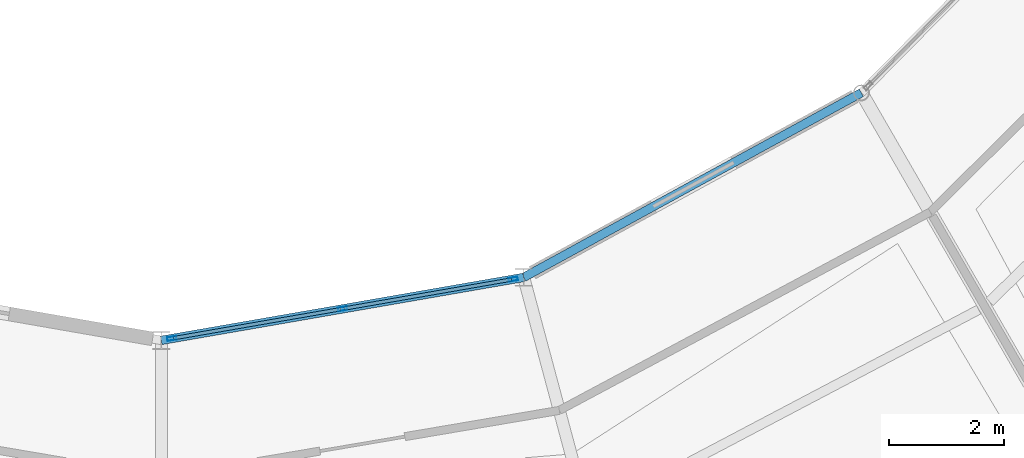
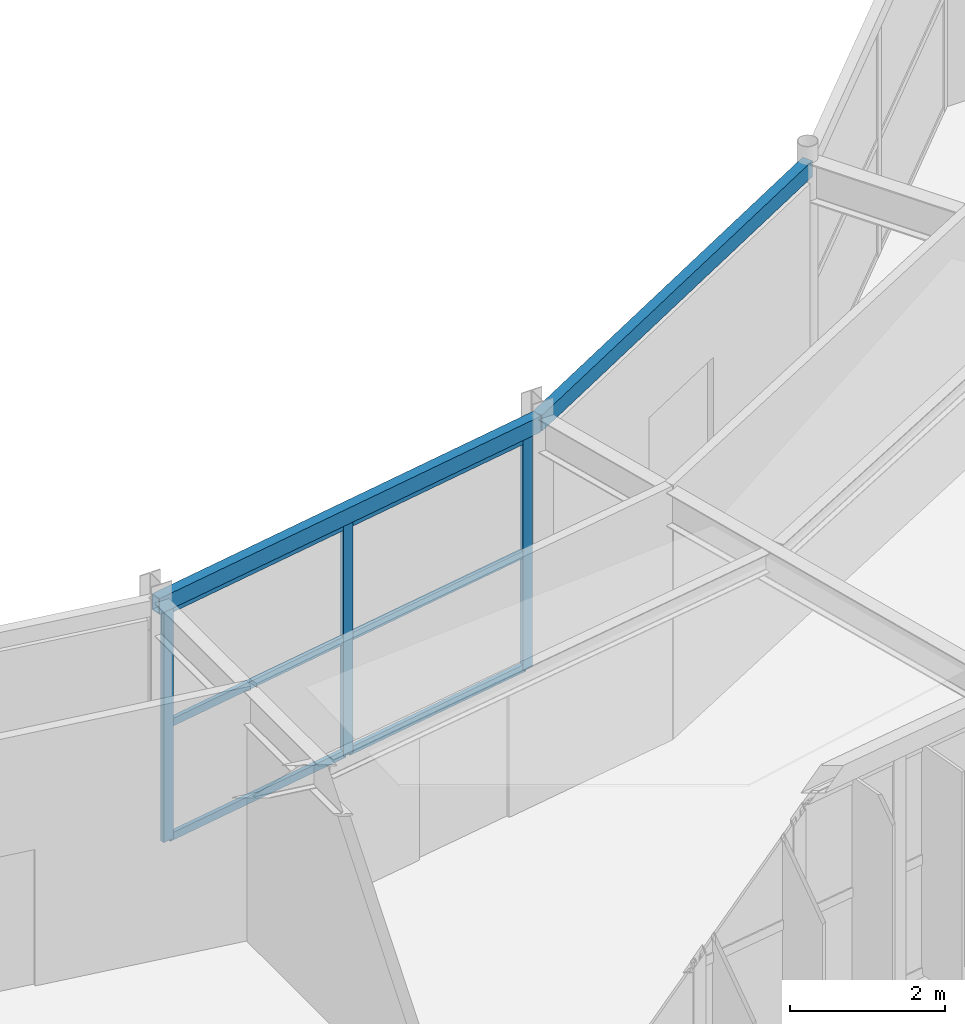
# One storey, part 49 of 147: 9 members, 2 beams, 1 element without a shape of its own.
"""IFC4 building model written with IfcOpenShell, lengths in metres."""

from ifc_helpers import new_model, si_unit, direction, frame, origin, origin_2d, place, context, subcontext, project, spatial, hollow_rectangle, extrude, material, material_profile, profile_set, type_object, element, aggregate, save


model = new_model("IFC4")

# Units and contexts
model_context = context("Model", 3, precision=1e-05, world=origin(), true_north=direction((0.0, 1.0)))
body_context = subcontext(model_context, "Body", "Model", "MODEL_VIEW")
ifc_project = project(units=[si_unit("LENGTHUNIT", "METRE"), si_unit("AREAUNIT", "SQUARE_METRE"), si_unit("VOLUMEUNIT", "CUBIC_METRE"), si_unit("PLANEANGLEUNIT", "RADIAN"), si_unit("MASSUNIT", "GRAM", prefix="KILO")], contexts=[model_context])

# Site, building, storey
site_placement = place(None, origin())
site = spatial("IfcSite", under=ifc_project, at=site_placement, CompositionType="ELEMENT")
building_placement = place(site_placement, origin())
building = spatial("IfcBuilding", under=site, at=building_placement, Name="Karori Crest Natural Sciences Institute", CompositionType="ELEMENT")
storey_placement = place(building_placement, frame((0.0, 0.0, 9.10009765625)))
storey = spatial("IfcBuildingStorey", under=building, at=storey_placement, Name="L02", CompositionType="ELEMENT", Elevation=9.10009765625)

# Beams
ifc_material_1 = material(Name="Hollow structural steel AS/NZS 1163 Grade C350", Category="steel")
ifc_material_profile_1 = material_profile(ifc_material_1, hollow_rectangle(XDim=0.14990234375, YDim=0.25, WallThickness=0.009033203125, at=origin_2d()), Name="RHS250x150x9")
ifc_profile_set_1 = profile_set([ifc_material_profile_1], Name="Hollow structural steel AS/NZS 1163 Grade C350")
beam_type = type_object("IfcBeamType", Name="BT-16", PredefinedType="SPANDREL", material=ifc_profile_set_1)
beam_1_placement = place(storey_placement, frame((66.39990234375, 17.699951171875, 3.789794921875), z_axis=(0.985241372425, 0.17117078624, 0.0), x_axis=(-0.17117078624, 0.985241372425, 0.0)))
element("IfcBeam", 1, at=beam_1_placement, inside=storey, type_object=beam_type, Name="Beam B-0339", PredefinedType="SPANDREL", context=body_context, shape_type="SweptSolid", body=[
    extrude(hollow_rectangle(XDim=0.14990234375, YDim=0.25, WallThickness=0.009033203125, at=origin_2d()), origin(), (0.0, 0.0, 1.0), 6.40966796875),
])
beam_2_placement = place(storey_placement, frame((72.715087890625, 18.797119140625, 3.789794921875), z_axis=(0.877469531616, 0.47963238119, 0.0), x_axis=(-0.47963238119, 0.877469531616, 0.0)))
element("IfcBeam", 2, at=beam_2_placement, inside=storey, type_object=beam_type, Name="Beam B-0343", PredefinedType="SPANDREL", context=body_context, shape_type="SweptSolid", body=[
    extrude(hollow_rectangle(XDim=0.14990234375, YDim=0.25, WallThickness=0.009033203125, at=origin_2d()), origin(), (0.0, 0.0, 1.0), 6.706787109375),
])

# Curtain wall, members
ifc_material_2 = material(Name="Anodised architectural aluminium 6063-T6", Category="aluminium")
curtain_wall_type = type_object("IfcCurtainWallType", Name="CWT-14", PredefinedType="NOTDEFINED", material=ifc_material_2)
curtain_wall_placement = place(storey_placement, origin())
curtain_wall = element("IfcCurtainWall", 3, at=curtain_wall_placement, inside=storey, type_object=curtain_wall_type, Name="Curtain wall CW-0092", PredefinedType="NOTDEFINED")
ifc_material_profile_2 = material_profile(ifc_material_2, hollow_rectangle(XDim=0.06494140625, YDim=0.159912109375, WallThickness=0.00390625, at=origin_2d()), Name="CWM160x65x4")
ifc_profile_set_2 = profile_set([ifc_material_profile_2], Name="Anodised architectural aluminium 6063-T6")
member_type_1 = type_object("IfcMemberType", Name="CWM-01", PredefinedType="MULLION", material=ifc_profile_set_2)
member_1_placement = place(storey_placement, frame((66.58349609375, 17.73193359375, 0.0), z_axis=(0.0, 0.0, 1.0), x_axis=(-0.171170381048, 0.985241442821, 0.0)))
member_1 = element("IfcMember", 4, at=member_1_placement, type_object=member_type_1, Name="CW-0092 mullion 1", PredefinedType="MULLION", context=body_context, shape_type="SweptSolid", body=[
    extrude(hollow_rectangle(XDim=0.06494140625, YDim=0.159912109375, WallThickness=0.00390625, at=origin_2d()), origin(), (0.0, 0.0, 1.0), 3.64990234375),
])
member_2_placement = place(storey_placement, frame((69.55810546875, 18.24853515625, 0.0), z_axis=(0.0, 0.0, 1.0), x_axis=(-0.171170381048, 0.985241442821, 0.0)))
member_2 = element("IfcMember", 5, at=member_2_placement, type_object=member_type_1, Name="CW-0092 mullion 2", PredefinedType="MULLION", context=body_context, shape_type="SweptSolid", body=[
    extrude(hollow_rectangle(XDim=0.06494140625, YDim=0.159912109375, WallThickness=0.00390625, at=origin_2d()), origin(), (0.0, 0.0, 1.0), 3.64990234375),
])
member_3_placement = place(storey_placement, frame((72.53271484375, 18.765380859375, 0.0), z_axis=(0.0, 0.0, 1.0), x_axis=(-0.171170381048, 0.985241442821, 0.0)))
member_3 = element("IfcMember", 6, at=member_3_placement, type_object=member_type_1, Name="CW-0092 mullion 3", PredefinedType="MULLION", context=body_context, shape_type="SweptSolid", body=[
    extrude(hollow_rectangle(XDim=0.06494140625, YDim=0.159912109375, WallThickness=0.00390625, at=origin_2d()), origin(), (0.0, 0.0, 1.0), 3.64990234375),
])
ifc_material_profile_3 = material_profile(ifc_material_2, hollow_rectangle(XDim=0.06005859375, YDim=0.1201171875, WallThickness=0.00390625, at=origin_2d()), Name="CWT120x60x4")
ifc_profile_set_3 = profile_set([ifc_material_profile_3], Name="Anodised architectural aluminium 6063-T6")
member_type_2 = type_object("IfcMemberType", Name="CWT-TR1", PredefinedType="USERDEFINED", material=ifc_profile_set_3)
member_4_placement = place(storey_placement, frame((66.615478515625, 17.7373046875, 0.02978515625), z_axis=(0.985231157469, 0.171229572075, 0.0), x_axis=(-0.171229572075, 0.985231157469, 0.0)))
member_4 = element("IfcMember", 7, at=member_4_placement, type_object=member_type_2, Name="CW-0092 transom 1.1", ObjectType="TRANSOM", PredefinedType="USERDEFINED", context=body_context, shape_type="SweptSolid", body=[
    extrude(hollow_rectangle(XDim=0.06005859375, YDim=0.1201171875, WallThickness=0.00390625, at=origin_2d()), origin(), (0.0, 0.0, 1.0), 2.954345703125),
])
member_5_placement = place(storey_placement, frame((66.615478515625, 17.7373046875, 1.824951171875), z_axis=(0.985231157469, 0.171229572075, 0.0), x_axis=(-0.171229572075, 0.985231157469, 0.0)))
member_5 = element("IfcMember", 8, at=member_5_placement, type_object=member_type_2, Name="CW-0092 transom 1.2", ObjectType="TRANSOM", PredefinedType="USERDEFINED", context=body_context, shape_type="SweptSolid", body=[
    extrude(hollow_rectangle(XDim=0.06005859375, YDim=0.1201171875, WallThickness=0.00390625, at=origin_2d()), origin(), (0.0, 0.0, 1.0), 2.954345703125),
])
member_6_placement = place(storey_placement, frame((66.615478515625, 17.7373046875, 3.619873046875), z_axis=(0.985231157469, 0.171229572075, 0.0), x_axis=(-0.171229572075, 0.985231157469, 0.0)))
member_6 = element("IfcMember", 9, at=member_6_placement, type_object=member_type_2, Name="CW-0092 transom 1.3", ObjectType="TRANSOM", PredefinedType="USERDEFINED", context=body_context, shape_type="SweptSolid", body=[
    extrude(hollow_rectangle(XDim=0.06005859375, YDim=0.1201171875, WallThickness=0.00390625, at=origin_2d()), origin(), (0.0, 0.0, 1.0), 2.954345703125),
])
member_7_placement = place(storey_placement, frame((69.590087890625, 18.254150390625, 0.02978515625), z_axis=(0.985245095786, 0.171149353579, 0.0), x_axis=(-0.171149353579, 0.985245095786, 0.0)))
member_7 = element("IfcMember", 10, at=member_7_placement, type_object=member_type_2, Name="CW-0092 transom 2.1", ObjectType="TRANSOM", PredefinedType="USERDEFINED", context=body_context, shape_type="SweptSolid", body=[
    extrude(hollow_rectangle(XDim=0.06005859375, YDim=0.1201171875, WallThickness=0.00390625, at=origin_2d()), origin(), (0.0, 0.0, 1.0), 2.954345703125),
])
member_8_placement = place(storey_placement, frame((69.590087890625, 18.254150390625, 1.824951171875), z_axis=(0.985245095786, 0.171149353579, 0.0), x_axis=(-0.171149353579, 0.985245095786, 0.0)))
member_8 = element("IfcMember", 11, at=member_8_placement, type_object=member_type_2, Name="CW-0092 transom 2.2", ObjectType="TRANSOM", PredefinedType="USERDEFINED", context=body_context, shape_type="SweptSolid", body=[
    extrude(hollow_rectangle(XDim=0.06005859375, YDim=0.1201171875, WallThickness=0.00390625, at=origin_2d()), origin(), (0.0, 0.0, 1.0), 2.954345703125),
])
member_9_placement = place(storey_placement, frame((69.590087890625, 18.254150390625, 3.619873046875), z_axis=(0.985245095786, 0.171149353579, 0.0), x_axis=(-0.171149353579, 0.985245095786, 0.0)))
member_9 = element("IfcMember", 12, at=member_9_placement, type_object=member_type_2, Name="CW-0092 transom 2.3", ObjectType="TRANSOM", PredefinedType="USERDEFINED", context=body_context, shape_type="SweptSolid", body=[
    extrude(hollow_rectangle(XDim=0.06005859375, YDim=0.1201171875, WallThickness=0.00390625, at=origin_2d()), origin(), (0.0, 0.0, 1.0), 2.954345703125),
])
aggregate(curtain_wall, [member_1, member_2, member_3, member_4, member_5, member_6, member_7, member_8, member_9])

save(model, "model.ifc")
